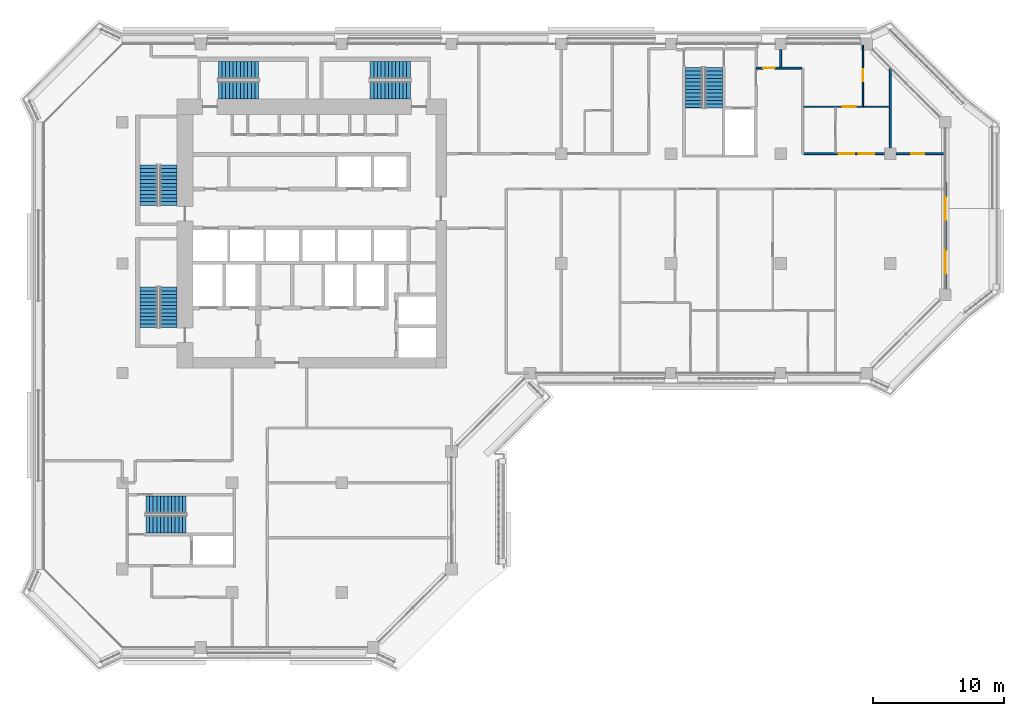
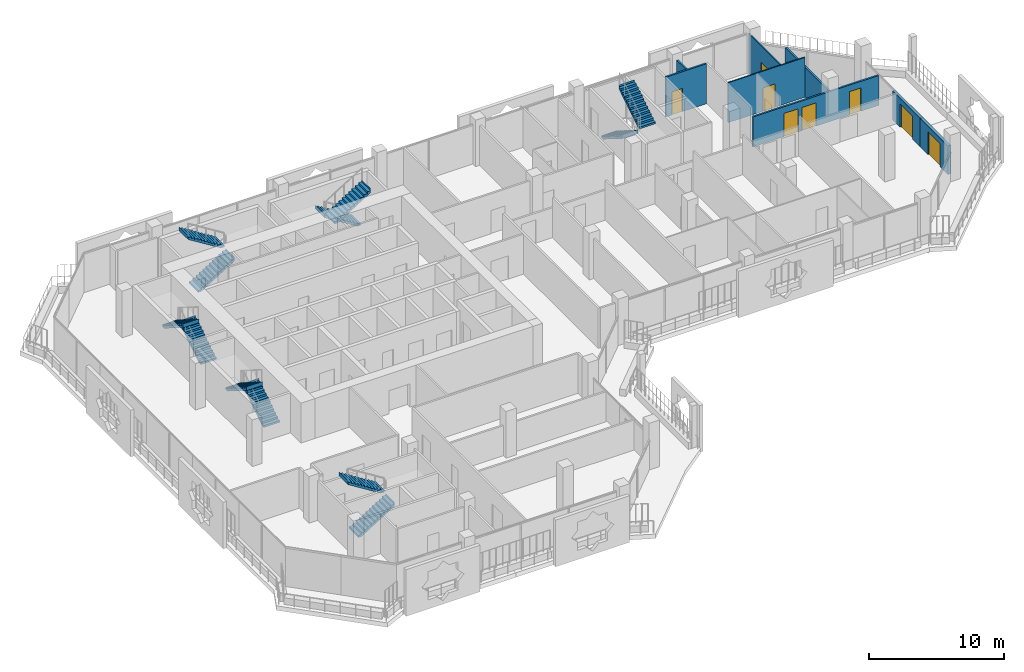
# One storey, part 13 of 21: 12 stair flights, 8 doors, 8 walls, 8 openings, 6 elements without a shape of their own.
"""IFC4 building model written with IfcOpenShell, lengths in metres."""

import ifcopenshell
import ifcopenshell.guid

model = None  # the IFC model being written
_history = None  # IfcOwnerHistory: only IFC2X3 demands one
_inside = {}  # id of a spatial element -> (the spatial element, [elements in it])
_under = {}  # id of a project, library or spatial element -> (it, [spatial elements below it])
_declared = {}  # id of a project -> (the project, [libraries it declares])
_typed = {}  # id of a type object -> (the type object, [elements of that type])
_made_of = {}  # id of a material, layer set ... -> (it, [elements and type objects made of it])


def new_model(schema):
    """Start an empty IFC model of exactly this schema.

    Asked for "IFC4X3", IfcOpenShell would pick the latest addendum, in which some entities
    have other attributes; the version numbers below select the first issue.
    IFC2X3 requires an IfcOwnerHistory on every rooted entity: one is made here for all.
    """
    global model, _history
    if schema == "IFC4X3":
        model = ifcopenshell.file(schema_version=(4, 3, 0, 0))
    else:
        model = ifcopenshell.file(schema=schema)
    _inside.clear()
    _under.clear()
    _declared.clear()
    _typed.clear()
    _made_of.clear()
    _history = None
    if model.schema == "IFC2X3":
        org = make("IfcOrganization", Name="unknown")
        user = make(
            "IfcPersonAndOrganization",
            ThePerson=make("IfcPerson", FamilyName="unknown"),
            TheOrganization=org,
        )
        app = make(
            "IfcApplication",
            ApplicationDeveloper=org,
            Version="unknown",
            ApplicationFullName="unknown",
            ApplicationIdentifier="unknown",
        )
        _history = make(
            "IfcOwnerHistory",
            OwningUser=user,
            OwningApplication=app,
            ChangeAction="ADDED",
            CreationDate=0,
        )
    return model


def make(cls, **values):
    """One entity of the class cls with the attributes given. An attribute that is None is left unset."""
    return model.create_entity(
        cls, **{name: value for name, value in values.items() if value is not None}
    )


def rooted(cls, **values):
    """An entity with a GlobalId (a new one), such as an element, a storey or a relation."""
    return make(cls, GlobalId=ifcopenshell.guid.new(), OwnerHistory=_history, **values)


def si_unit(unit_type, name, prefix=None):
    """IfcSIUnit, for example si_unit("LENGTHUNIT", "METRE", prefix="MILLI")."""
    return make("IfcSIUnit", UnitType=unit_type, Prefix=prefix, Name=name)


def assignment(units):
    """IfcUnitAssignment: the units of a project."""
    return None if units is None else make("IfcUnitAssignment", Units=units)


def point(xyz):
    """IfcCartesianPoint."""
    return None if xyz is None else make("IfcCartesianPoint", Coordinates=xyz)


def direction(xyz):
    """IfcDirection."""
    return None if xyz is None else make("IfcDirection", DirectionRatios=xyz)


def frame(location, z_axis=None, x_axis=None):
    """IfcAxis2Placement3D, a coordinate frame: its origin and axes. An axis left out is left unset."""
    return make(
        "IfcAxis2Placement3D",
        Location=point(location),
        Axis=direction(z_axis),
        RefDirection=direction(x_axis),
    )


def frame_2d(location, x_axis=None):
    """IfcAxis2Placement2D, a coordinate frame in the plane: its origin and x axis."""
    return make(
        "IfcAxis2Placement2D", Location=point(location), RefDirection=direction(x_axis)
    )


def origin():
    """The frame at (0, 0, 0) with its axes left unset."""
    return frame((0.0, 0.0, 0.0))


def place(relative_to, where):
    """IfcLocalPlacement: puts the frame where relative to a parent placement (None: the world)."""
    return make(
        "IfcLocalPlacement", PlacementRelTo=relative_to, RelativePlacement=where
    )


def context(
    kind, dimensions, precision=None, world=None, true_north=None, identifier=None
):
    """IfcGeometricRepresentationContext, for example the 3D "Model" context."""
    return make(
        "IfcGeometricRepresentationContext",
        ContextIdentifier=identifier,
        ContextType=kind,
        CoordinateSpaceDimension=dimensions,
        Precision=precision,
        WorldCoordinateSystem=world,
        TrueNorth=true_north,
    )


def subcontext(parent, identifier, kind, view, scale=None):
    """IfcGeometricRepresentationSubContext, for example "Body" below "Model"."""
    return make(
        "IfcGeometricRepresentationSubContext",
        ContextIdentifier=identifier,
        ContextType=kind,
        ParentContext=parent,
        TargetScale=scale,
        TargetView=view,
    )


def project(units=None, contexts=None):
    """IfcProject with its units and contexts."""
    return rooted(
        "IfcProject",
        Name="project",
        RepresentationContexts=contexts,
        UnitsInContext=assignment(units),
    )


def spatial(cls, under=None, at=None, **own):
    """A site, building, storey or space (cls), placed at a placement, below another one or the project."""
    s = rooted(cls, ObjectPlacement=at, **own)
    if under is not None:
        _under.setdefault(under.id(), (under, []))[1].append(s)
    return s


def polyline(points):
    """IfcPolyline through the points."""
    return make("IfcPolyline", Points=[point(p) for p in points])


def profile(cls, at=None, kind="AREA", **sizes):
    """A parametric profile (cls). Its sizes go by their IFC names, for example OverallWidth=200.0."""
    return make(cls, ProfileType=kind, Position=at, **sizes)


def rectangle(**sizes):
    """IfcRectangleProfileDef."""
    return profile("IfcRectangleProfileDef", **sizes)


def outline(outer, holes=None, kind="AREA"):
    """IfcArbitraryClosedProfileDef: a profile drawn as a closed curve; with holes, ...WithVoids."""
    if holes is None:
        return make("IfcArbitraryClosedProfileDef", ProfileType=kind, OuterCurve=outer)
    return make(
        "IfcArbitraryProfileDefWithVoids",
        ProfileType=kind,
        OuterCurve=outer,
        InnerCurves=holes,
    )


def extrude(swept, where, along, depth):
    """IfcExtrudedAreaSolid: the profile swept, set in the frame where, extruded along a direction by depth."""
    return make(
        "IfcExtrudedAreaSolid",
        SweptArea=swept,
        Position=where,
        ExtrudedDirection=direction(along),
        Depth=depth,
    )


def shape(context_of_items, identifier, shape_type, items):
    """IfcShapeRepresentation: the items that make up one representation, for example the "Body"."""
    return make(
        "IfcShapeRepresentation",
        ContextOfItems=context_of_items,
        RepresentationIdentifier=identifier,
        RepresentationType=shape_type,
        Items=items,
    )


def material(Name=None, Category=None):
    """IfcMaterial."""
    return make("IfcMaterial", Name=Name, Category=Category)


def layer(
    of_material, thickness, ventilated=None, Name=None, Category=None, Priority=None
):
    """IfcMaterialLayer: one layer of a wall or slab, of a material (None: an air gap)."""
    return make(
        "IfcMaterialLayer",
        Material=of_material,
        LayerThickness=thickness,
        IsVentilated=ventilated,
        Name=Name,
        Category=Category,
        Priority=Priority,
    )


def layer_set(layers, Name=None):
    """IfcMaterialLayerSet."""
    return make("IfcMaterialLayerSet", MaterialLayers=layers, LayerSetName=Name)


def made_of(thing, what):
    """Note that an element or type object is made of a material, layer set ...; save() writes the relation."""
    if what is not None:
        _made_of.setdefault(what.id(), (what, []))[1].append(thing)
    return thing


def type_object(cls, material=None, **own):
    """A type object (cls), such as IfcWallType, which elements share."""
    return made_of(rooted(cls, **own), material)


def element(
    cls,
    number,
    at=None,
    inside=None,
    cuts=None,
    type_object=None,
    material=None,
    context=None,
    identifier="Body",
    shape_type=None,
    held_by="IfcProductDefinitionShape",
    body=None,
    shapes=None,
    **own,
):
    """One element of the class cls, such as IfcWall. Its Tag is "e" and its number.

    at: its placement. inside: the storey or other place that contains it. cuts: it is an
    opening in that element (IfcRelVoidsElement). A single representation is given by context,
    identifier, shape_type and body (its items); several are given by shapes. held_by: the class
    of the entity that holds the representations. save() writes the other relations.
    """
    e = rooted(cls, Tag="e%d" % number, ObjectPlacement=at, **own)
    if body is not None:
        shapes = [shape(context, identifier, shape_type, body)]
    if shapes is not None:
        e.Representation = make(held_by, Representations=shapes)
    if inside is not None:
        _inside.setdefault(inside.id(), (inside, []))[1].append(e)
    if cuts is not None:
        rooted(
            "IfcRelVoidsElement", RelatingBuildingElement=cuts, RelatedOpeningElement=e
        )
    if type_object is not None:
        _typed.setdefault(type_object.id(), (type_object, []))[1].append(e)
    return made_of(e, material)


def fill(opening, filler):
    """IfcRelFillsElement: the door or window that sits in an opening."""
    return rooted(
        "IfcRelFillsElement",
        RelatingOpeningElement=opening,
        RelatedBuildingElement=filler,
    )


def aggregate(whole, parts):
    """IfcRelAggregates: a whole, such as a stair, and the parts it consists of."""
    return rooted("IfcRelAggregates", RelatingObject=whole, RelatedObjects=parts)


def save(model, path):
    """Write the relations noted so far, then the file.

    IfcRelAggregates (storeys below a building ...), IfcRelContainedInSpatialStructure (elements
    in a storey), IfcRelDefinesByType, IfcRelAssociatesMaterial and IfcRelDeclares: one each for
    every whole, place, type object, material and project.
    """
    for whole, parts in _under.values():
        aggregate(whole, parts)
    for where, things in _inside.values():
        rooted(
            "IfcRelContainedInSpatialStructure",
            RelatedElements=things,
            RelatingStructure=where,
        )
    for kind, things in _typed.values():
        rooted("IfcRelDefinesByType", RelatedObjects=things, RelatingType=kind)
    for what, things in _made_of.values():
        rooted("IfcRelAssociatesMaterial", RelatedObjects=things, RelatingMaterial=what)
    for by, libraries in _declared.values():
        rooted("IfcRelDeclares", RelatingContext=by, RelatedDefinitions=libraries)
    model.write(path)


model = new_model("IFC4")

# Units and contexts
model_context = context("Model", 3, precision=1e-05, world=origin(), true_north=direction((0.0, 1.0)))
body_context = subcontext(model_context, "Body", "Model", "MODEL_VIEW")
ifc_project = project(units=[si_unit("LENGTHUNIT", "METRE"), si_unit("AREAUNIT", "SQUARE_METRE"), si_unit("VOLUMEUNIT", "CUBIC_METRE"), si_unit("PLANEANGLEUNIT", "RADIAN"), si_unit("MASSUNIT", "GRAM", prefix="KILO")], contexts=[model_context])

# Site, building, storey
site_placement = place(None, origin())
site = spatial("IfcSite", under=ifc_project, at=site_placement, CompositionType="ELEMENT")
building_placement = place(site_placement, origin())
building = spatial("IfcBuilding", under=site, at=building_placement, Name="Kawkab Arch Medical Tower", CompositionType="ELEMENT")
storey_placement = place(building_placement, frame((0.0, 0.0, 260.0)))
storey = spatial("IfcBuildingStorey", under=building, at=storey_placement, Name="L60", CompositionType="ELEMENT", Elevation=260.0)

# Wall, opening, door
ifc_material_1 = material(Name="Bronze clad insulated wall panel")
ifc_layer_1 = layer(ifc_material_1, 0.25)
ifc_layer_set_1 = layer_set([ifc_layer_1], Name="Bronze clad insulated wall panel")
wall_type_1 = type_object("IfcWallType", Name="External wall bay 250", PredefinedType="SOLIDWALL", material=ifc_layer_set_1)
wall_1_placement = place(storey_placement, frame((63.0, -18.75, 0.0), z_axis=(0.0, 0.0, 1.0), x_axis=(0.0, 1.0, 0.0)))
wall_1 = element("IfcWall", 1, at=wall_1_placement, inside=storey, type_object=wall_type_1, Name="External wall bay L60.R09.1.1", PredefinedType="SOLIDWALL", context=body_context, shape_type="SweptSolid", body=[
    extrude(rectangle(XDim=4.10009765625, YDim=0.25, at=frame_2d((2.050048828125, 0.0))), origin(), (0.0, 0.0, 1.0), 2.580078125),
])
opening_1_placement = place(wall_1_placement, frame((1.14990234375, 0.0, 0.0)))
opening_1 = element("IfcOpeningElement", 2, at=opening_1_placement, cuts=wall_1, Name="Opening W55-702", PredefinedType="OPENING", context=body_context, shape_type="SweptSolid", body=[
    extrude(rectangle(XDim=1.800048828125, YDim=2.10009765625, at=frame_2d((0.89990234375, 1.050048828125))), frame((0.0, 0.135009765625, 0.0), z_axis=(0.0, -1.0, 0.0), x_axis=(1.0, 0.0, 0.0)), (0.0, 0.0, 1.0), 0.27001953125),
])
ifc_material_2 = material(Name="Bronze anodised aluminium door with tinted glass", Category="aluminium")
door_type_1 = type_object("IfcDoorType", Name="Double external door 1800 x 2100", OperationType="DOUBLE_DOOR_SINGLE_SWING", PredefinedType="DOOR", material=ifc_material_2)
door_1_placement = place(opening_1_placement, origin())
door_1 = element("IfcDoor", 3, at=door_1_placement, inside=storey, type_object=door_type_1, Name="External door L60.R09.1.1", OperationType="DOUBLE_DOOR_SINGLE_SWING", OverallHeight=2.10009765625, OverallWidth=1.800048828125, PredefinedType="DOOR", context=body_context, shape_type="SweptSolid", body=[
    extrude(rectangle(XDim=1.800048828125, YDim=2.10009765625, at=frame_2d((0.89990234375, 1.050048828125))), frame((0.0, 0.02490234375, 0.0), z_axis=(0.0, -1.0, 0.0), x_axis=(1.0, 0.0, 0.0)), (0.0, 0.0, 1.0), 0.050048828125),
])
fill(opening_1, door_1)

wall_2_placement = place(storey_placement, frame((63.0, -14.64990234375, 0.0), z_axis=(0.0, 0.0, 1.0), x_axis=(0.0, 1.0, 0.0)))
wall_2 = element("IfcWall", 4, at=wall_2_placement, inside=storey, type_object=wall_type_1, Name="External wall bay L60.R09.1.2", PredefinedType="SOLIDWALL", context=body_context, shape_type="SweptSolid", body=[
    extrude(rectangle(XDim=4.099853515625, YDim=0.25, at=frame_2d((2.0498046875, 0.0))), origin(), (0.0, 0.0, 1.0), 2.580078125),
])
opening_2_placement = place(wall_2_placement, frame((1.14990234375, 0.0, 0.0)))
opening_2 = element("IfcOpeningElement", 5, at=opening_2_placement, cuts=wall_2, Name="Opening W55-702", PredefinedType="OPENING", context=body_context, shape_type="SweptSolid", body=[
    extrude(rectangle(XDim=1.800048828125, YDim=2.10009765625, at=frame_2d((0.89990234375, 1.050048828125))), frame((0.0, 0.135009765625, 0.0), z_axis=(0.0, -1.0, 0.0), x_axis=(1.0, 0.0, 0.0)), (0.0, 0.0, 1.0), 0.27001953125),
])
door_2_placement = place(opening_2_placement, origin())
door_2 = element("IfcDoor", 6, at=door_2_placement, inside=storey, type_object=door_type_1, Name="External door L60.R09.1.2", OperationType="DOUBLE_DOOR_SINGLE_SWING", OverallHeight=2.10009765625, OverallWidth=1.800048828125, PredefinedType="DOOR", context=body_context, shape_type="SweptSolid", body=[
    extrude(rectangle(XDim=1.800048828125, YDim=2.10009765625, at=frame_2d((0.89990234375, 1.050048828125))), frame((0.0, 0.02490234375, 0.0), z_axis=(0.0, -1.0, 0.0), x_axis=(1.0, 0.0, 0.0)), (0.0, 0.0, 1.0), 0.050048828125),
])
fill(opening_2, door_2)

ifc_material_3 = material(Name="Gypsum board partition on steel studs", Category="steel")
ifc_layer_2 = layer(ifc_material_3, 0.10009765625)
ifc_layer_set_2 = layer_set([ifc_layer_2], Name="Gypsum board partition on steel studs")
wall_type_2 = type_object("IfcWallType", Name="Partition 100", PredefinedType="PARTITIONING", material=ifc_layer_set_2)
wall_3_placement = place(storey_placement, frame((52.16796875, -4.800048828125, 0.0), z_axis=(0.0, 0.0, 1.0), x_axis=(1.0, 0.0, 0.0)))
wall_3 = element("IfcWall", 7, at=wall_3_placement, inside=storey, type_object=wall_type_2, Name="Partition 100 w004", PredefinedType="PARTITIONING", context=body_context, shape_type="SweptSolid", body=[
    extrude(rectangle(XDim=6.55712890625, YDim=0.10009765625, at=frame_2d((3.278564453125, 0.0))), origin(), (0.0, 0.0, 1.0), 3.60009765625),
])
opening_3_placement = place(wall_3_placement, frame((2.98193359375, 0.0, 0.0)))
opening_3 = element("IfcOpeningElement", 8, at=opening_3_placement, cuts=wall_3, Name="Opening W55-010", PredefinedType="OPENING", context=body_context, shape_type="SweptSolid", body=[
    extrude(rectangle(XDim=1.0, YDim=2.10009765625, at=frame_2d((0.5, 1.050048828125))), frame((0.0, 0.06005859375, 0.0), z_axis=(0.0, -1.0, 0.0), x_axis=(1.0, 0.0, 0.0)), (0.0, 0.0, 1.0), 0.1201171875),
])
ifc_material_4 = material(Name="Timber door leaf", Category="wood")
door_type_2 = type_object("IfcDoorType", Name="Single door 1000x2100", OperationType="NOTDEFINED", PredefinedType="DOOR", material=ifc_material_4)
door_3_placement = place(opening_3_placement, origin())
door_3 = element("IfcDoor", 9, at=door_3_placement, inside=storey, type_object=door_type_2, Name="Door W55-010", OperationType="SINGLE_SWING_RIGHT", OverallHeight=2.10009765625, OverallWidth=1.0, PredefinedType="DOOR", context=body_context, shape_type="SweptSolid", body=[
    extrude(rectangle(XDim=1.0, YDim=2.10009765625, at=frame_2d((0.5, 1.050048828125))), frame((0.0, 0.02490234375, 0.0), z_axis=(0.0, -1.0, 0.0), x_axis=(1.0, 0.0, 0.0)), (0.0, 0.0, 1.0), 0.050048828125),
])
fill(opening_3, door_3)

wall_4_placement = place(storey_placement, frame((56.699951171875, -4.75, 0.0), z_axis=(0.0, 0.0, 1.0), x_axis=(0.0, 1.0, 0.0)))
wall_4 = element("IfcWall", 10, at=wall_4_placement, inside=storey, type_object=wall_type_2, Name="Partition 100 w011", PredefinedType="PARTITIONING", context=body_context, shape_type="SweptSolid", body=[
    extrude(rectangle(XDim=4.669921875, YDim=0.10009765625, at=frame_2d((2.3349609375, 0.0))), origin(), (0.0, 0.0, 1.0), 3.60009765625),
])
opening_4_placement = place(wall_4_placement, frame((1.89990234375, 0.0, 0.0)))
opening_4 = element("IfcOpeningElement", 11, at=opening_4_placement, cuts=wall_4, Name="Opening W55-006", PredefinedType="OPENING", context=body_context, shape_type="SweptSolid", body=[
    extrude(rectangle(XDim=0.89990234375, YDim=2.10009765625, at=frame_2d((0.449951171875, 1.050048828125))), frame((0.0, 0.06005859375, 0.0), z_axis=(0.0, -1.0, 0.0), x_axis=(1.0, 0.0, 0.0)), (0.0, 0.0, 1.0), 0.1201171875),
])
ifc_material_5 = material(Name="Timber door leaf", Category="wood")
door_type_3 = type_object("IfcDoorType", Name="Single door 900x2100", OperationType="NOTDEFINED", PredefinedType="DOOR", material=ifc_material_5)
door_4_placement = place(opening_4_placement, origin())
door_4 = element("IfcDoor", 12, at=door_4_placement, inside=storey, type_object=door_type_3, Name="Door W55-006", OperationType="SINGLE_SWING_RIGHT", OverallHeight=2.10009765625, OverallWidth=0.89990234375, PredefinedType="DOOR", context=body_context, shape_type="SweptSolid", body=[
    extrude(rectangle(XDim=0.89990234375, YDim=2.10009765625, at=frame_2d((0.449951171875, 1.050048828125))), frame((0.0, 0.02490234375, 0.0), z_axis=(0.0, -1.0, 0.0), x_axis=(1.0, 0.0, 0.0)), (0.0, 0.0, 1.0), 0.050048828125),
])
fill(opening_4, door_4)

# Wall, openings, doors
ifc_material_6 = material(Name="Gypsum board partition on steel studs, mineral wool", Category="steel")
ifc_layer_3 = layer(ifc_material_6, 0.14990234375)
ifc_layer_set_3 = layer_set([ifc_layer_3], Name="Gypsum board partition on steel studs, mineral wool")
wall_type_3 = type_object("IfcWallType", Name="Partition 150", PredefinedType="PARTITIONING", material=ifc_layer_set_3)
wall_5_placement = place(storey_placement, frame((52.16796875, -8.39990234375, 0.0), z_axis=(0.0, 0.0, 1.0), x_axis=(1.0, 0.0, 0.0)))
wall_5 = element("IfcWall", 13, at=wall_5_placement, inside=storey, type_object=wall_type_3, Name="Partition 150 w023", PredefinedType="PARTITIONING", context=body_context, shape_type="SweptSolid", body=[
    extrude(rectangle(XDim=10.751953125, YDim=0.14990234375, at=frame_2d((5.3759765625, 0.0))), origin(), (0.0, 0.0, 1.0), 2.699951171875),
])
opening_5_placement = place(wall_5_placement, frame((2.672119140625, 0.0, 0.0)))
opening_5 = element("IfcOpeningElement", 14, at=opening_5_placement, cuts=wall_5, Name="Opening W55-024", PredefinedType="OPENING", context=body_context, shape_type="SweptSolid", body=[
    extrude(rectangle(XDim=1.199951171875, YDim=2.10009765625, at=frame_2d((0.60009765625, 1.050048828125))), frame((0.0, 0.0849609375, 0.0), z_axis=(0.0, -1.0, 0.0), x_axis=(1.0, 0.0, 0.0)), (0.0, 0.0, 1.0), 0.169921875),
])
opening_6_placement = place(wall_5_placement, frame((4.2119140625, 0.0, 0.0)))
opening_6 = element("IfcOpeningElement", 15, at=opening_6_placement, cuts=wall_5, Name="Opening W55-025", PredefinedType="OPENING", context=body_context, shape_type="SweptSolid", body=[
    extrude(rectangle(XDim=1.199951171875, YDim=2.10009765625, at=frame_2d((0.60009765625, 1.050048828125))), frame((0.0, 0.0849609375, 0.0), z_axis=(0.0, -1.0, 0.0), x_axis=(1.0, 0.0, 0.0)), (0.0, 0.0, 1.0), 0.169921875),
])
opening_7_placement = place(wall_5_placement, frame((8.23193359375, 0.0, 0.0)))
opening_7 = element("IfcOpeningElement", 16, at=opening_7_placement, cuts=wall_5, Name="Opening W55-018", PredefinedType="OPENING", context=body_context, shape_type="SweptSolid", body=[
    extrude(rectangle(XDim=1.0, YDim=2.10009765625, at=frame_2d((0.5, 1.050048828125))), frame((0.0, 0.0849609375, 0.0), z_axis=(0.0, -1.0, 0.0), x_axis=(1.0, 0.0, 0.0)), (0.0, 0.0, 1.0), 0.169921875),
])
ifc_material_7 = material(Name="Hollow metal door leaf")
door_type_4 = type_object("IfcDoorType", Name="Single door 1000x2100 FD30S", OperationType="NOTDEFINED", PredefinedType="DOOR", material=ifc_material_7)
door_5_placement = place(opening_7_placement, origin())
door_5 = element("IfcDoor", 17, at=door_5_placement, inside=storey, type_object=door_type_4, Name="Door W55-018", OperationType="SINGLE_SWING_RIGHT", OverallHeight=2.10009765625, OverallWidth=1.0, PredefinedType="DOOR", context=body_context, shape_type="SweptSolid", body=[
    extrude(rectangle(XDim=1.0, YDim=2.10009765625, at=frame_2d((0.5, 1.050048828125))), frame((0.0, 0.02490234375, 0.0), z_axis=(0.0, -1.0, 0.0), x_axis=(1.0, 0.0, 0.0)), (0.0, 0.0, 1.0), 0.050048828125),
])
fill(opening_7, door_5)
ifc_material_8 = material(Name="Hollow metal door leaf")
door_type_5 = type_object("IfcDoorType", Name="Single door 1200x2100 FD30S", OperationType="NOTDEFINED", PredefinedType="DOOR", material=ifc_material_8)
door_6_placement = place(opening_5_placement, origin())
door_6 = element("IfcDoor", 18, at=door_6_placement, inside=storey, type_object=door_type_5, Name="Door W55-024", OperationType="SINGLE_SWING_LEFT", OverallHeight=2.10009765625, OverallWidth=1.199951171875, PredefinedType="DOOR", context=body_context, shape_type="SweptSolid", body=[
    extrude(rectangle(XDim=1.199951171875, YDim=2.10009765625, at=frame_2d((0.60009765625, 1.050048828125))), frame((0.0, 0.02490234375, 0.0), z_axis=(0.0, -1.0, 0.0), x_axis=(1.0, 0.0, 0.0)), (0.0, 0.0, 1.0), 0.050048828125),
])
fill(opening_5, door_6)
door_7_placement = place(opening_6_placement, origin())
door_7 = element("IfcDoor", 19, at=door_7_placement, inside=storey, type_object=door_type_5, Name="Door W55-025", OperationType="SINGLE_SWING_LEFT", OverallHeight=2.10009765625, OverallWidth=1.199951171875, PredefinedType="DOOR", context=body_context, shape_type="SweptSolid", body=[
    extrude(rectangle(XDim=1.199951171875, YDim=2.10009765625, at=frame_2d((0.60009765625, 1.050048828125))), frame((0.0, 0.02490234375, 0.0), z_axis=(0.0, -1.0, 0.0), x_axis=(1.0, 0.0, 0.0)), (0.0, 0.0, 1.0), 0.050048828125),
])
fill(opening_6, door_7)

# Wall, opening, door
wall_6_placement = place(storey_placement, frame((48.550048828125, -1.85009765625, 0.0), z_axis=(0.0, 0.0, 1.0), x_axis=(1.0, 0.0, 0.0)))
wall_6 = element("IfcWall", 20, at=wall_6_placement, inside=storey, type_object=wall_type_3, Name="Partition 150 w024", PredefinedType="PARTITIONING", context=body_context, shape_type="SweptSolid", body=[
    extrude(rectangle(XDim=3.468017578125, YDim=0.14990234375, at=frame_2d((1.73388671875, 0.0))), origin(), (0.0, 0.0, 1.0), 3.60009765625),
])
opening_8_placement = place(wall_6_placement, frame((0.5, 0.0, 0.0)))
opening_8 = element("IfcOpeningElement", 21, at=opening_8_placement, cuts=wall_6, Name="Opening W55-009", PredefinedType="OPENING", context=body_context, shape_type="SweptSolid", body=[
    extrude(rectangle(XDim=0.89990234375, YDim=2.10009765625, at=frame_2d((0.449951171875, 1.050048828125))), frame((0.0, 0.0849609375, 0.0), z_axis=(0.0, -1.0, 0.0), x_axis=(1.0, 0.0, 0.0)), (0.0, 0.0, 1.0), 0.169921875),
])
door_8_placement = place(opening_8_placement, origin())
door_8 = element("IfcDoor", 22, at=door_8_placement, inside=storey, type_object=door_type_3, Name="Door W55-009", OperationType="SINGLE_SWING_LEFT", OverallHeight=2.10009765625, OverallWidth=0.89990234375, PredefinedType="DOOR", context=body_context, shape_type="SweptSolid", body=[
    extrude(rectangle(XDim=0.89990234375, YDim=2.10009765625, at=frame_2d((0.449951171875, 1.050048828125))), frame((0.0, 0.02490234375, 0.0), z_axis=(0.0, -1.0, 0.0), x_axis=(1.0, 0.0, 0.0)), (0.0, 0.0, 1.0), 0.050048828125),
])
fill(opening_8, door_8)

# Walls
wall_7_placement = place(storey_placement, frame((50.39990234375, -1.77490234375, 0.0), z_axis=(0.0, 0.0, 1.0), x_axis=(0.0, 1.0, 0.0)))
element("IfcWall", 23, at=wall_7_placement, inside=storey, type_object=wall_type_3, Name="Partition 150 w046", PredefinedType="PARTITIONING", context=body_context, shape_type="SweptSolid", body=[
    extrude(rectangle(XDim=1.349853515625, YDim=0.14990234375, at=frame_2d((0.6748046875, 0.0))), origin(), (0.0, 0.0, 1.0), 3.60009765625),
])
wall_8_placement = place(storey_placement, frame((58.800048828125, -8.324951171875, 0.0), z_axis=(0.0, 0.0, 1.0), x_axis=(0.0, 1.0, 0.0)))
element("IfcWall", 24, at=wall_8_placement, inside=storey, type_object=wall_type_3, Name="Partition 150 w049", PredefinedType="PARTITIONING", context=body_context, shape_type="SweptSolid", body=[
    extrude(rectangle(XDim=6.411865234375, YDim=0.14990234375, at=frame_2d((3.2060546875, 0.0))), origin(), (0.0, 0.0, 1.0), 2.699951171875),
])

# Stair, stair flights
ifc_material_9 = material(Name="Concrete C40/50", Category="concrete")
stair_type = type_object("IfcStairType", Name="Exit stair 1350", PredefinedType="HALF_TURN_STAIR", material=ifc_material_9)
placement = place(storey_placement, origin())
stair_1 = element("IfcStair", 25, at=placement, inside=storey, type_object=stair_type, Name="L60 Exit stair ST1", PredefinedType="HALF_TURN_STAIR")
ifc_material_10 = material(Name="Concrete C40/50", Category="concrete")
stair_flight_type = type_object("IfcStairFlightType", Name="Exit stair flight 1350", PredefinedType="STRAIGHT", material=ifc_material_10)
stair_flight_1_placement = place(storey_placement, frame((3.52490234375, -12.35009765625, 0.0), z_axis=(0.0, 0.0, 1.0), x_axis=(0.0, 1.0, 0.0)))
stair_flight_1 = element("IfcStairFlight", 26, at=stair_flight_1_placement, type_object=stair_flight_type, Name="ST1 flight 1", NumberOfRisers=12, NumberOfTreads=11, PredefinedType="STRAIGHT", RiserHeight=0.175, TreadLength=0.28, context=body_context, shape_type="SweptSolid", body=[
    extrude(outline(polyline([(-0.0029296875, 0.0), (-0.0029296875, 0.175048828125), (0.0, 0.175048828125), (0.280029296875, 0.175048828125), (0.280029296875, 0.35009765625), (0.56005859375, 0.35009765625), (0.56005859375, 0.52490234375), (0.840087890625, 0.52490234375), (0.840087890625, 0.699951171875), (1.1201171875, 0.699951171875), (1.1201171875, 0.875), (1.39990234375, 0.875), (1.39990234375, 1.050048828125), (1.679931640625, 1.050048828125), (1.679931640625, 1.22509765625), (1.9599609375, 1.22509765625), (1.9599609375, 1.39990234375), (2.239990234375, 1.39990234375), (2.239990234375, 1.574951171875), (2.52001953125, 1.574951171875), (2.52001953125, 1.75), (2.800048828125, 1.75), (2.800048828125, 1.925048828125), (3.080078125, 1.925048828125), (3.080078125, 2.10009765625), (3.0830078125, 2.10009765625), (3.0830078125, 1.748291015625), (3.080078125, 1.748291015625), (0.28271484375, 0.0), (-0.0029296875, 0.0)])), frame((0.0, 0.675048828125, 0.0), z_axis=(0.0, -1.0, 0.0), x_axis=(1.0, 0.0, 0.0)), (0.0, 0.0, 1.0), 1.35009765625),
])
stair_flight_2_placement = place(storey_placement, frame((2.02490234375, -9.27001953125, 2.10009765625), z_axis=(0.0, 0.0, 1.0), x_axis=(0.0, -1.0, 0.0)))
stair_flight_2 = element("IfcStairFlight", 27, at=stair_flight_2_placement, type_object=stair_flight_type, Name="ST1 flight 2", NumberOfRisers=12, NumberOfTreads=11, PredefinedType="STRAIGHT", RiserHeight=0.175, TreadLength=0.28, context=body_context, shape_type="SweptSolid", body=[
    extrude(outline(polyline([(-0.0029296875, 0.0), (-0.0029296875, 0.175048828125), (0.0, 0.175048828125), (0.280029296875, 0.175048828125), (0.280029296875, 0.35009765625), (0.56005859375, 0.35009765625), (0.56005859375, 0.52490234375), (0.840087890625, 0.52490234375), (0.840087890625, 0.699951171875), (1.1201171875, 0.699951171875), (1.1201171875, 0.875), (1.39990234375, 0.875), (1.39990234375, 1.050048828125), (1.679931640625, 1.050048828125), (1.679931640625, 1.22509765625), (1.9599609375, 1.22509765625), (1.9599609375, 1.39990234375), (2.239990234375, 1.39990234375), (2.239990234375, 1.574951171875), (2.52001953125, 1.574951171875), (2.52001953125, 1.75), (2.800048828125, 1.75), (2.800048828125, 1.925048828125), (3.080078125, 1.925048828125), (3.080078125, 2.10009765625), (3.0830078125, 2.10009765625), (3.0830078125, 1.748291015625), (3.080078125, 1.748291015625), (0.28271484375, 0.0), (-0.0029296875, 0.0)])), frame((0.0, 0.675048828125, 0.0), z_axis=(0.0, -1.0, 0.0), x_axis=(1.0, 0.0, 0.0)), (0.0, 0.0, 1.0), 1.35009765625),
])
aggregate(stair_1, [stair_flight_1, stair_flight_2])

stair_2 = element("IfcStair", 28, at=placement, inside=storey, type_object=stair_type, Name="L60 Exit stair ST2", PredefinedType="HALF_TURN_STAIR")
stair_flight_3_placement = place(storey_placement, frame((3.52490234375, -21.699951171875, 0.0), z_axis=(0.0, 0.0, 1.0), x_axis=(0.0, 1.0, 0.0)))
stair_flight_3 = element("IfcStairFlight", 29, at=stair_flight_3_placement, type_object=stair_flight_type, Name="ST2 flight 1", NumberOfRisers=12, NumberOfTreads=11, PredefinedType="STRAIGHT", RiserHeight=0.175, TreadLength=0.28, context=body_context, shape_type="SweptSolid", body=[
    extrude(outline(polyline([(-0.0029296875, 0.0), (-0.0029296875, 0.175048828125), (0.0, 0.175048828125), (0.280029296875, 0.175048828125), (0.280029296875, 0.35009765625), (0.56005859375, 0.35009765625), (0.56005859375, 0.52490234375), (0.840087890625, 0.52490234375), (0.840087890625, 0.699951171875), (1.1201171875, 0.699951171875), (1.1201171875, 0.875), (1.39990234375, 0.875), (1.39990234375, 1.050048828125), (1.679931640625, 1.050048828125), (1.679931640625, 1.22509765625), (1.9599609375, 1.22509765625), (1.9599609375, 1.39990234375), (2.239990234375, 1.39990234375), (2.239990234375, 1.574951171875), (2.52001953125, 1.574951171875), (2.52001953125, 1.75), (2.800048828125, 1.75), (2.800048828125, 1.925048828125), (3.080078125, 1.925048828125), (3.080078125, 2.10009765625), (3.0830078125, 2.10009765625), (3.0830078125, 1.748291015625), (3.080078125, 1.748291015625), (0.28271484375, 0.0), (-0.0029296875, 0.0)])), frame((0.0, 0.675048828125, 0.0), z_axis=(0.0, -1.0, 0.0), x_axis=(1.0, 0.0, 0.0)), (0.0, 0.0, 1.0), 1.35009765625),
])
stair_flight_4_placement = place(storey_placement, frame((2.02490234375, -18.6201171875, 2.10009765625), z_axis=(0.0, 0.0, 1.0), x_axis=(0.0, -1.0, 0.0)))
stair_flight_4 = element("IfcStairFlight", 30, at=stair_flight_4_placement, type_object=stair_flight_type, Name="ST2 flight 2", NumberOfRisers=12, NumberOfTreads=11, PredefinedType="STRAIGHT", RiserHeight=0.175, TreadLength=0.28, context=body_context, shape_type="SweptSolid", body=[
    extrude(outline(polyline([(-0.0029296875, 0.0), (-0.0029296875, 0.175048828125), (0.0, 0.175048828125), (0.280029296875, 0.175048828125), (0.280029296875, 0.35009765625), (0.56005859375, 0.35009765625), (0.56005859375, 0.52490234375), (0.840087890625, 0.52490234375), (0.840087890625, 0.699951171875), (1.1201171875, 0.699951171875), (1.1201171875, 0.875), (1.39990234375, 0.875), (1.39990234375, 1.050048828125), (1.679931640625, 1.050048828125), (1.679931640625, 1.22509765625), (1.9599609375, 1.22509765625), (1.9599609375, 1.39990234375), (2.239990234375, 1.39990234375), (2.239990234375, 1.574951171875), (2.52001953125, 1.574951171875), (2.52001953125, 1.75), (2.800048828125, 1.75), (2.800048828125, 1.925048828125), (3.080078125, 1.925048828125), (3.080078125, 2.10009765625), (3.0830078125, 2.10009765625), (3.0830078125, 1.748291015625), (3.080078125, 1.748291015625), (0.28271484375, 0.0), (-0.0029296875, 0.0)])), frame((0.0, 0.675048828125, 0.0), z_axis=(0.0, -1.0, 0.0), x_axis=(1.0, 0.0, 0.0)), (0.0, 0.0, 1.0), 1.35009765625),
])
aggregate(stair_2, [stair_flight_3, stair_flight_4])

stair_3 = element("IfcStair", 31, at=placement, inside=storey, type_object=stair_type, Name="L60 Exit stair ST3", PredefinedType="HALF_TURN_STAIR")
stair_flight_5_placement = place(storey_placement, frame((7.35009765625, -3.52490234375, 0.0), z_axis=(0.0, 0.0, 1.0), x_axis=(1.0, 0.0, 0.0)))
stair_flight_5 = element("IfcStairFlight", 32, at=stair_flight_5_placement, type_object=stair_flight_type, Name="ST3 flight 1", NumberOfRisers=12, NumberOfTreads=11, PredefinedType="STRAIGHT", RiserHeight=0.175, TreadLength=0.28, context=body_context, shape_type="SweptSolid", body=[
    extrude(outline(polyline([(-0.0029296875, 0.0), (-0.0029296875, 0.175048828125), (0.0, 0.175048828125), (0.280029296875, 0.175048828125), (0.280029296875, 0.35009765625), (0.56005859375, 0.35009765625), (0.56005859375, 0.52490234375), (0.840087890625, 0.52490234375), (0.840087890625, 0.699951171875), (1.1201171875, 0.699951171875), (1.1201171875, 0.875), (1.39990234375, 0.875), (1.39990234375, 1.050048828125), (1.679931640625, 1.050048828125), (1.679931640625, 1.22509765625), (1.9599609375, 1.22509765625), (1.9599609375, 1.39990234375), (2.239990234375, 1.39990234375), (2.239990234375, 1.574951171875), (2.52001953125, 1.574951171875), (2.52001953125, 1.75), (2.800048828125, 1.75), (2.800048828125, 1.925048828125), (3.080078125, 1.925048828125), (3.080078125, 2.10009765625), (3.0830078125, 2.10009765625), (3.0830078125, 1.748291015625), (3.080078125, 1.748291015625), (0.28271484375, 0.0), (-0.0029296875, 0.0)])), frame((0.0, 0.675048828125, 0.0), z_axis=(0.0, -1.0, 0.0), x_axis=(1.0, 0.0, 0.0)), (0.0, 0.0, 1.0), 1.35009765625),
])
stair_flight_6_placement = place(storey_placement, frame((10.429931640625, -2.02490234375, 2.10009765625), z_axis=(0.0, 0.0, 1.0), x_axis=(-1.0, 0.0, 0.0)))
stair_flight_6 = element("IfcStairFlight", 33, at=stair_flight_6_placement, type_object=stair_flight_type, Name="ST3 flight 2", NumberOfRisers=12, NumberOfTreads=11, PredefinedType="STRAIGHT", RiserHeight=0.175, TreadLength=0.28, context=body_context, shape_type="SweptSolid", body=[
    extrude(outline(polyline([(-0.0029296875, 0.0), (-0.0029296875, 0.175048828125), (0.0, 0.175048828125), (0.280029296875, 0.175048828125), (0.280029296875, 0.35009765625), (0.56005859375, 0.35009765625), (0.56005859375, 0.52490234375), (0.840087890625, 0.52490234375), (0.840087890625, 0.699951171875), (1.1201171875, 0.699951171875), (1.1201171875, 0.875), (1.39990234375, 0.875), (1.39990234375, 1.050048828125), (1.679931640625, 1.050048828125), (1.679931640625, 1.22509765625), (1.9599609375, 1.22509765625), (1.9599609375, 1.39990234375), (2.239990234375, 1.39990234375), (2.239990234375, 1.574951171875), (2.52001953125, 1.574951171875), (2.52001953125, 1.75), (2.800048828125, 1.75), (2.800048828125, 1.925048828125), (3.080078125, 1.925048828125), (3.080078125, 2.10009765625), (3.0830078125, 2.10009765625), (3.0830078125, 1.748291015625), (3.080078125, 1.748291015625), (0.28271484375, 0.0), (-0.0029296875, 0.0)])), frame((0.0, 0.675048828125, 0.0), z_axis=(0.0, -1.0, 0.0), x_axis=(1.0, 0.0, 0.0)), (0.0, 0.0, 1.0), 1.35009765625),
])
aggregate(stair_3, [stair_flight_5, stair_flight_6])

stair_4 = element("IfcStair", 34, at=placement, inside=storey, type_object=stair_type, Name="L60 Exit stair ST4", PredefinedType="HALF_TURN_STAIR")
stair_flight_7_placement = place(storey_placement, frame((22.050048828125, -2.02490234375, 0.0), z_axis=(0.0, 0.0, 1.0), x_axis=(-1.0, 0.0, 0.0)))
stair_flight_7 = element("IfcStairFlight", 35, at=stair_flight_7_placement, type_object=stair_flight_type, Name="ST4 flight 1", NumberOfRisers=12, NumberOfTreads=11, PredefinedType="STRAIGHT", RiserHeight=0.175, TreadLength=0.28, context=body_context, shape_type="SweptSolid", body=[
    extrude(outline(polyline([(-0.0029296875, 0.0), (-0.0029296875, 0.175048828125), (0.0, 0.175048828125), (0.280029296875, 0.175048828125), (0.280029296875, 0.35009765625), (0.56005859375, 0.35009765625), (0.56005859375, 0.52490234375), (0.840087890625, 0.52490234375), (0.840087890625, 0.699951171875), (1.1201171875, 0.699951171875), (1.1201171875, 0.875), (1.39990234375, 0.875), (1.39990234375, 1.050048828125), (1.679931640625, 1.050048828125), (1.679931640625, 1.22509765625), (1.9599609375, 1.22509765625), (1.9599609375, 1.39990234375), (2.239990234375, 1.39990234375), (2.239990234375, 1.574951171875), (2.52001953125, 1.574951171875), (2.52001953125, 1.75), (2.800048828125, 1.75), (2.800048828125, 1.925048828125), (3.080078125, 1.925048828125), (3.080078125, 2.10009765625), (3.0830078125, 2.10009765625), (3.0830078125, 1.748291015625), (3.080078125, 1.748291015625), (0.28271484375, 0.0), (-0.0029296875, 0.0)])), frame((0.0, 0.675048828125, 0.0), z_axis=(0.0, -1.0, 0.0), x_axis=(1.0, 0.0, 0.0)), (0.0, 0.0, 1.0), 1.35009765625),
])
stair_flight_8_placement = place(storey_placement, frame((18.969970703125, -3.52490234375, 2.10009765625), z_axis=(0.0, 0.0, 1.0), x_axis=(1.0, 0.0, 0.0)))
stair_flight_8 = element("IfcStairFlight", 36, at=stair_flight_8_placement, type_object=stair_flight_type, Name="ST4 flight 2", NumberOfRisers=12, NumberOfTreads=11, PredefinedType="STRAIGHT", RiserHeight=0.175, TreadLength=0.28, context=body_context, shape_type="SweptSolid", body=[
    extrude(outline(polyline([(-0.0029296875, 0.0), (-0.0029296875, 0.175048828125), (0.0, 0.175048828125), (0.280029296875, 0.175048828125), (0.280029296875, 0.35009765625), (0.56005859375, 0.35009765625), (0.56005859375, 0.52490234375), (0.840087890625, 0.52490234375), (0.840087890625, 0.699951171875), (1.1201171875, 0.699951171875), (1.1201171875, 0.875), (1.39990234375, 0.875), (1.39990234375, 1.050048828125), (1.679931640625, 1.050048828125), (1.679931640625, 1.22509765625), (1.9599609375, 1.22509765625), (1.9599609375, 1.39990234375), (2.239990234375, 1.39990234375), (2.239990234375, 1.574951171875), (2.52001953125, 1.574951171875), (2.52001953125, 1.75), (2.800048828125, 1.75), (2.800048828125, 1.925048828125), (3.080078125, 1.925048828125), (3.080078125, 2.10009765625), (3.0830078125, 2.10009765625), (3.0830078125, 1.748291015625), (3.080078125, 1.748291015625), (0.28271484375, 0.0), (-0.0029296875, 0.0)])), frame((0.0, 0.675048828125, 0.0), z_axis=(0.0, -1.0, 0.0), x_axis=(1.0, 0.0, 0.0)), (0.0, 0.0, 1.0), 1.35009765625),
])
aggregate(stair_4, [stair_flight_7, stair_flight_8])

stair_5 = element("IfcStair", 37, at=placement, inside=storey, type_object=stair_type, Name="L60 Exit stair ST5", PredefinedType="HALF_TURN_STAIR")
stair_flight_9_placement = place(storey_placement, frame((43.77490234375, -1.800048828125, 0.0), z_axis=(0.0, 0.0, 1.0), x_axis=(0.0, -1.0, 0.0)))
stair_flight_9 = element("IfcStairFlight", 38, at=stair_flight_9_placement, type_object=stair_flight_type, Name="ST5 flight 1", NumberOfRisers=12, NumberOfTreads=11, PredefinedType="STRAIGHT", RiserHeight=0.175, TreadLength=0.28, context=body_context, shape_type="SweptSolid", body=[
    extrude(outline(polyline([(-0.0029296875, 0.0), (-0.0029296875, 0.175048828125), (0.0, 0.175048828125), (0.280029296875, 0.175048828125), (0.280029296875, 0.35009765625), (0.56005859375, 0.35009765625), (0.56005859375, 0.52490234375), (0.840087890625, 0.52490234375), (0.840087890625, 0.699951171875), (1.1201171875, 0.699951171875), (1.1201171875, 0.875), (1.39990234375, 0.875), (1.39990234375, 1.050048828125), (1.679931640625, 1.050048828125), (1.679931640625, 1.22509765625), (1.9599609375, 1.22509765625), (1.9599609375, 1.39990234375), (2.239990234375, 1.39990234375), (2.239990234375, 1.574951171875), (2.52001953125, 1.574951171875), (2.52001953125, 1.75), (2.800048828125, 1.75), (2.800048828125, 1.925048828125), (3.080078125, 1.925048828125), (3.080078125, 2.10009765625), (3.0830078125, 2.10009765625), (3.0830078125, 1.748291015625), (3.080078125, 1.748291015625), (0.28271484375, 0.0), (-0.0029296875, 0.0)])), frame((0.0, 0.675048828125, 0.0), z_axis=(0.0, -1.0, 0.0), x_axis=(1.0, 0.0, 0.0)), (0.0, 0.0, 1.0), 1.35009765625),
])
stair_flight_10_placement = place(storey_placement, frame((45.27490234375, -4.8798828125, 2.10009765625), z_axis=(0.0, 0.0, 1.0), x_axis=(0.0, 1.0, 0.0)))
stair_flight_10 = element("IfcStairFlight", 39, at=stair_flight_10_placement, type_object=stair_flight_type, Name="ST5 flight 2", NumberOfRisers=12, NumberOfTreads=11, PredefinedType="STRAIGHT", RiserHeight=0.175, TreadLength=0.28, context=body_context, shape_type="SweptSolid", body=[
    extrude(outline(polyline([(-0.0029296875, 0.0), (-0.0029296875, 0.175048828125), (0.0, 0.175048828125), (0.280029296875, 0.175048828125), (0.280029296875, 0.35009765625), (0.56005859375, 0.35009765625), (0.56005859375, 0.52490234375), (0.840087890625, 0.52490234375), (0.840087890625, 0.699951171875), (1.1201171875, 0.699951171875), (1.1201171875, 0.875), (1.39990234375, 0.875), (1.39990234375, 1.050048828125), (1.679931640625, 1.050048828125), (1.679931640625, 1.22509765625), (1.9599609375, 1.22509765625), (1.9599609375, 1.39990234375), (2.239990234375, 1.39990234375), (2.239990234375, 1.574951171875), (2.52001953125, 1.574951171875), (2.52001953125, 1.75), (2.800048828125, 1.75), (2.800048828125, 1.925048828125), (3.080078125, 1.925048828125), (3.080078125, 2.10009765625), (3.0830078125, 2.10009765625), (3.0830078125, 1.748291015625), (3.080078125, 1.748291015625), (0.28271484375, 0.0), (-0.0029296875, 0.0)])), frame((0.0, 0.675048828125, 0.0), z_axis=(0.0, -1.0, 0.0), x_axis=(1.0, 0.0, 0.0)), (0.0, 0.0, 1.0), 1.35009765625),
])
aggregate(stair_5, [stair_flight_9, stair_flight_10])

stair_6 = element("IfcStair", 40, at=placement, inside=storey, type_object=stair_type, Name="L60 Exit stair ST6", PredefinedType="HALF_TURN_STAIR")
stair_flight_11_placement = place(storey_placement, frame((1.800048828125, -36.77490234375, 0.0), z_axis=(0.0, 0.0, 1.0), x_axis=(1.0, 0.0, 0.0)))
stair_flight_11 = element("IfcStairFlight", 41, at=stair_flight_11_placement, type_object=stair_flight_type, Name="ST6 flight 1", NumberOfRisers=12, NumberOfTreads=11, PredefinedType="STRAIGHT", RiserHeight=0.175, TreadLength=0.28, context=body_context, shape_type="SweptSolid", body=[
    extrude(outline(polyline([(-0.0029296875, 0.0), (-0.0029296875, 0.175048828125), (0.0, 0.175048828125), (0.280029296875, 0.175048828125), (0.280029296875, 0.35009765625), (0.56005859375, 0.35009765625), (0.56005859375, 0.52490234375), (0.840087890625, 0.52490234375), (0.840087890625, 0.699951171875), (1.1201171875, 0.699951171875), (1.1201171875, 0.875), (1.39990234375, 0.875), (1.39990234375, 1.050048828125), (1.679931640625, 1.050048828125), (1.679931640625, 1.22509765625), (1.9599609375, 1.22509765625), (1.9599609375, 1.39990234375), (2.239990234375, 1.39990234375), (2.239990234375, 1.574951171875), (2.52001953125, 1.574951171875), (2.52001953125, 1.75), (2.800048828125, 1.75), (2.800048828125, 1.925048828125), (3.080078125, 1.925048828125), (3.080078125, 2.10009765625), (3.0830078125, 2.10009765625), (3.0830078125, 1.748291015625), (3.080078125, 1.748291015625), (0.28271484375, 0.0), (-0.0029296875, 0.0)])), frame((0.0, 0.675048828125, 0.0), z_axis=(0.0, -1.0, 0.0), x_axis=(1.0, 0.0, 0.0)), (0.0, 0.0, 1.0), 1.35009765625),
])
stair_flight_12_placement = place(storey_placement, frame((4.8798828125, -35.27490234375, 2.10009765625), z_axis=(0.0, 0.0, 1.0), x_axis=(-1.0, 0.0, 0.0)))
stair_flight_12 = element("IfcStairFlight", 42, at=stair_flight_12_placement, type_object=stair_flight_type, Name="ST6 flight 2", NumberOfRisers=12, NumberOfTreads=11, PredefinedType="STRAIGHT", RiserHeight=0.175, TreadLength=0.28, context=body_context, shape_type="SweptSolid", body=[
    extrude(outline(polyline([(-0.0029296875, 0.0), (-0.0029296875, 0.175048828125), (0.0, 0.175048828125), (0.280029296875, 0.175048828125), (0.280029296875, 0.35009765625), (0.56005859375, 0.35009765625), (0.56005859375, 0.52490234375), (0.840087890625, 0.52490234375), (0.840087890625, 0.699951171875), (1.1201171875, 0.699951171875), (1.1201171875, 0.875), (1.39990234375, 0.875), (1.39990234375, 1.050048828125), (1.679931640625, 1.050048828125), (1.679931640625, 1.22509765625), (1.9599609375, 1.22509765625), (1.9599609375, 1.39990234375), (2.239990234375, 1.39990234375), (2.239990234375, 1.574951171875), (2.52001953125, 1.574951171875), (2.52001953125, 1.75), (2.800048828125, 1.75), (2.800048828125, 1.925048828125), (3.080078125, 1.925048828125), (3.080078125, 2.10009765625), (3.0830078125, 2.10009765625), (3.0830078125, 1.748291015625), (3.080078125, 1.748291015625), (0.28271484375, 0.0), (-0.0029296875, 0.0)])), frame((0.0, 0.675048828125, 0.0), z_axis=(0.0, -1.0, 0.0), x_axis=(1.0, 0.0, 0.0)), (0.0, 0.0, 1.0), 1.35009765625),
])
aggregate(stair_6, [stair_flight_11, stair_flight_12])

save(model, "model.ifc")
